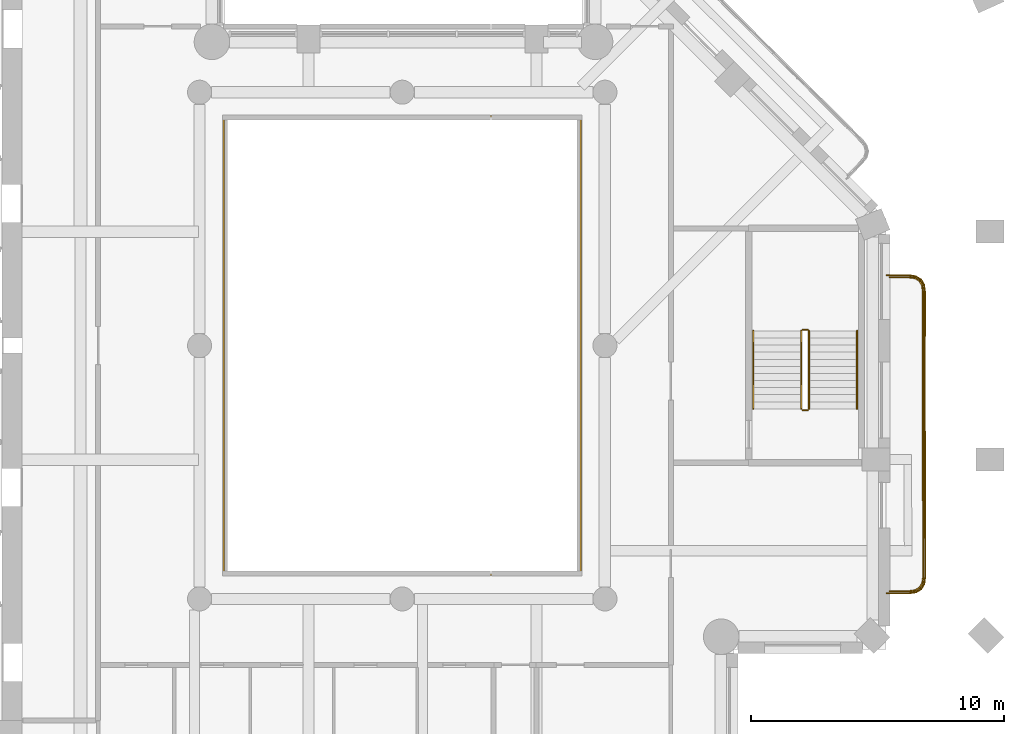
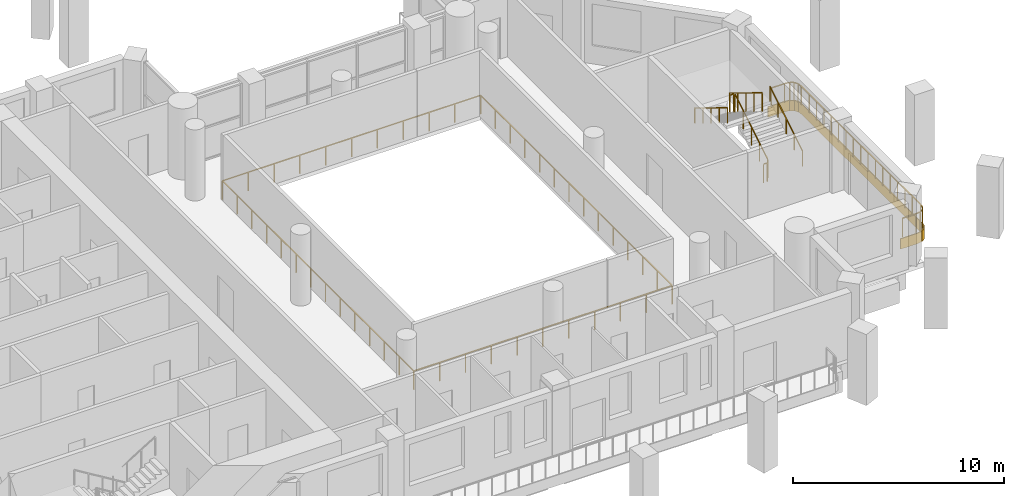
# One storey, part 14 of 16: 8 railings, 1 covering.
"""IFC4 building model written with IfcOpenShell, lengths in metres."""

from ifc_helpers import new_model, si_unit, direction, frame, origin, origin_2d, place, context, subcontext, project, spatial, polyline, rectangle, outline, extrude, material, layer, layer_set, type_object, element, save


model = new_model("IFC4")

# Units and contexts
model_context = context("Model", 3, precision=1e-05, world=origin(), true_north=direction((0.0, 1.0)))
body_context = subcontext(model_context, "Body", "Model", "MODEL_VIEW")
ifc_project = project(units=[si_unit("LENGTHUNIT", "METRE"), si_unit("AREAUNIT", "SQUARE_METRE"), si_unit("VOLUMEUNIT", "CUBIC_METRE"), si_unit("PLANEANGLEUNIT", "RADIAN"), si_unit("MASSUNIT", "GRAM", prefix="KILO")], contexts=[model_context])

# Site, building, storey
site_placement = place(None, origin())
site = spatial("IfcSite", under=ifc_project, at=site_placement, CompositionType="ELEMENT")
building_placement = place(site_placement, origin())
building = spatial("IfcBuilding", under=site, at=building_placement, Name="Cypress Arch Tower", CompositionType="ELEMENT")
storey_placement = place(building_placement, frame((0.0, 0.0, 197.39990234375)))
storey = spatial("IfcBuildingStorey", under=building, at=storey_placement, Name="L43", CompositionType="ELEMENT", Elevation=197.39990234375)

# Railing
ifc_material_1 = material(Name="Stainless steel posts and handrail, laminated glass infill", Category="steel")
railing_type_1 = type_object("IfcRailingType", Name="Atrium guard GR1100A", PredefinedType="GUARDRAIL", material=ifc_material_1)
railing_1_placement = place(storey_placement, frame((8.050048828125, -9.050048828125, 0.0)))
element("IfcRailing", 1, at=railing_1_placement, inside=storey, type_object=railing_type_1, Name="Atrium guard L43", PredefinedType="GUARDRAIL", context=body_context, shape_type="SweptSolid", body=[
    extrude(rectangle(XDim=0.050048828125, YDim=0.050048828125, at=origin_2d()), frame((0.0, 0.0, 1.0751953125), z_axis=(-1.0, 0.0, 0.0), x_axis=(0.0, -1.0, 0.0)), (0.0, 0.0, 1.0), 14.10009765625),
    extrude(rectangle(XDim=0.050048828125, YDim=0.050048828125, at=origin_2d()), frame((-14.10009765625, 0.0, 1.0751953125), z_axis=(0.0, 1.0, 0.0), x_axis=(-1.0, 0.0, 0.0)), (0.0, 0.0, 1.0), 18.10009765625),
    extrude(rectangle(XDim=0.050048828125, YDim=0.050048828125, at=origin_2d()), frame((-14.10009765625, 18.10009765625, 1.0751953125), z_axis=(1.0, 0.0, 0.0), x_axis=(0.0, 1.0, 0.0)), (0.0, 0.0, 1.0), 14.10009765625),
    extrude(rectangle(XDim=0.050048828125, YDim=0.050048828125, at=origin_2d()), frame((0.0, 18.10009765625, 1.0751953125), z_axis=(0.0, -1.0, 0.0), x_axis=(1.0, 0.0, 0.0)), (0.0, 0.0, 1.0), 18.10009765625),
    extrude(rectangle(XDim=0.050048828125, YDim=0.050048828125, at=origin_2d()), origin(), (0.0, 0.0, 1.0), 1.050048828125),
    extrude(rectangle(XDim=0.050048828125, YDim=0.050048828125, at=origin_2d()), frame((-1.409912109375, 0.0, 0.0)), (0.0, 0.0, 1.0), 1.050048828125),
    extrude(rectangle(XDim=0.050048828125, YDim=0.050048828125, at=origin_2d()), frame((-2.820068359375, 0.0, 0.0)), (0.0, 0.0, 1.0), 1.050048828125),
    extrude(rectangle(XDim=0.050048828125, YDim=0.050048828125, at=origin_2d()), frame((-4.22998046875, 0.0, 0.0)), (0.0, 0.0, 1.0), 1.050048828125),
    extrude(rectangle(XDim=0.050048828125, YDim=0.050048828125, at=origin_2d()), frame((-5.64013671875, 0.0, 0.0)), (0.0, 0.0, 1.0), 1.050048828125),
    extrude(rectangle(XDim=0.050048828125, YDim=0.050048828125, at=origin_2d()), frame((-7.050048828125, 0.0, 0.0)), (0.0, 0.0, 1.0), 1.050048828125),
    extrude(rectangle(XDim=0.050048828125, YDim=0.050048828125, at=origin_2d()), frame((-8.4599609375, 0.0, 0.0)), (0.0, 0.0, 1.0), 1.050048828125),
    extrude(rectangle(XDim=0.050048828125, YDim=0.050048828125, at=origin_2d()), frame((-9.8701171875, 0.0, 0.0)), (0.0, 0.0, 1.0), 1.050048828125),
    extrude(rectangle(XDim=0.050048828125, YDim=0.050048828125, at=origin_2d()), frame((-11.280029296875, 0.0, 0.0)), (0.0, 0.0, 1.0), 1.050048828125),
    extrude(rectangle(XDim=0.050048828125, YDim=0.050048828125, at=origin_2d()), frame((-12.690185546875, 0.0, 0.0)), (0.0, 0.0, 1.0), 1.050048828125),
    extrude(rectangle(XDim=0.050048828125, YDim=0.050048828125, at=origin_2d()), frame((-14.10009765625, 0.0, 0.0)), (0.0, 0.0, 1.0), 1.050048828125),
    extrude(rectangle(XDim=0.050048828125, YDim=0.050048828125, at=origin_2d()), frame((-14.10009765625, 1.392333984375, 0.0)), (0.0, 0.0, 1.0), 1.050048828125),
    extrude(rectangle(XDim=0.050048828125, YDim=0.050048828125, at=origin_2d()), frame((-14.10009765625, 2.78466796875, 0.0)), (0.0, 0.0, 1.0), 1.050048828125),
    extrude(rectangle(XDim=0.050048828125, YDim=0.050048828125, at=origin_2d()), frame((-14.10009765625, 4.177001953125, 0.0)), (0.0, 0.0, 1.0), 1.050048828125),
    extrude(rectangle(XDim=0.050048828125, YDim=0.050048828125, at=origin_2d()), frame((-14.10009765625, 5.5693359375, 0.0)), (0.0, 0.0, 1.0), 1.050048828125),
    extrude(rectangle(XDim=0.050048828125, YDim=0.050048828125, at=origin_2d()), frame((-14.10009765625, 6.961669921875, 0.0)), (0.0, 0.0, 1.0), 1.050048828125),
    extrude(rectangle(XDim=0.050048828125, YDim=0.050048828125, at=origin_2d()), frame((-14.10009765625, 8.35400390625, 0.0)), (0.0, 0.0, 1.0), 1.050048828125),
    extrude(rectangle(XDim=0.050048828125, YDim=0.050048828125, at=origin_2d()), frame((-14.10009765625, 9.74609375, 0.0)), (0.0, 0.0, 1.0), 1.050048828125),
    extrude(rectangle(XDim=0.050048828125, YDim=0.050048828125, at=origin_2d()), frame((-14.10009765625, 11.138427734375, 0.0)), (0.0, 0.0, 1.0), 1.050048828125),
    extrude(rectangle(XDim=0.050048828125, YDim=0.050048828125, at=origin_2d()), frame((-14.10009765625, 12.53076171875, 0.0)), (0.0, 0.0, 1.0), 1.050048828125),
    extrude(rectangle(XDim=0.050048828125, YDim=0.050048828125, at=origin_2d()), frame((-14.10009765625, 13.923095703125, 0.0)), (0.0, 0.0, 1.0), 1.050048828125),
    extrude(rectangle(XDim=0.050048828125, YDim=0.050048828125, at=origin_2d()), frame((-14.10009765625, 15.3154296875, 0.0)), (0.0, 0.0, 1.0), 1.050048828125),
    extrude(rectangle(XDim=0.050048828125, YDim=0.050048828125, at=origin_2d()), frame((-14.10009765625, 16.707763671875, 0.0)), (0.0, 0.0, 1.0), 1.050048828125),
    extrude(rectangle(XDim=0.050048828125, YDim=0.050048828125, at=origin_2d()), frame((-14.10009765625, 18.10009765625, 0.0)), (0.0, 0.0, 1.0), 1.050048828125),
    extrude(rectangle(XDim=0.050048828125, YDim=0.050048828125, at=origin_2d()), frame((-12.690185546875, 18.10009765625, 0.0)), (0.0, 0.0, 1.0), 1.050048828125),
    extrude(rectangle(XDim=0.050048828125, YDim=0.050048828125, at=origin_2d()), frame((-11.280029296875, 18.10009765625, 0.0)), (0.0, 0.0, 1.0), 1.050048828125),
    extrude(rectangle(XDim=0.050048828125, YDim=0.050048828125, at=origin_2d()), frame((-9.8701171875, 18.10009765625, 0.0)), (0.0, 0.0, 1.0), 1.050048828125),
    extrude(rectangle(XDim=0.050048828125, YDim=0.050048828125, at=origin_2d()), frame((-8.4599609375, 18.10009765625, 0.0)), (0.0, 0.0, 1.0), 1.050048828125),
    extrude(rectangle(XDim=0.050048828125, YDim=0.050048828125, at=origin_2d()), frame((-7.050048828125, 18.10009765625, 0.0)), (0.0, 0.0, 1.0), 1.050048828125),
    extrude(rectangle(XDim=0.050048828125, YDim=0.050048828125, at=origin_2d()), frame((-5.64013671875, 18.10009765625, 0.0)), (0.0, 0.0, 1.0), 1.050048828125),
    extrude(rectangle(XDim=0.050048828125, YDim=0.050048828125, at=origin_2d()), frame((-4.22998046875, 18.10009765625, 0.0)), (0.0, 0.0, 1.0), 1.050048828125),
    extrude(rectangle(XDim=0.050048828125, YDim=0.050048828125, at=origin_2d()), frame((-2.820068359375, 18.10009765625, 0.0)), (0.0, 0.0, 1.0), 1.050048828125),
    extrude(rectangle(XDim=0.050048828125, YDim=0.050048828125, at=origin_2d()), frame((-1.409912109375, 18.10009765625, 0.0)), (0.0, 0.0, 1.0), 1.050048828125),
    extrude(rectangle(XDim=0.050048828125, YDim=0.050048828125, at=origin_2d()), frame((0.0, 18.10009765625, 0.0)), (0.0, 0.0, 1.0), 1.050048828125),
    extrude(rectangle(XDim=0.050048828125, YDim=0.050048828125, at=origin_2d()), frame((0.0, 16.707763671875, 0.0)), (0.0, 0.0, 1.0), 1.050048828125),
    extrude(rectangle(XDim=0.050048828125, YDim=0.050048828125, at=origin_2d()), frame((0.0, 15.3154296875, 0.0)), (0.0, 0.0, 1.0), 1.050048828125),
    extrude(rectangle(XDim=0.050048828125, YDim=0.050048828125, at=origin_2d()), frame((0.0, 13.923095703125, 0.0)), (0.0, 0.0, 1.0), 1.050048828125),
    extrude(rectangle(XDim=0.050048828125, YDim=0.050048828125, at=origin_2d()), frame((0.0, 12.53076171875, 0.0)), (0.0, 0.0, 1.0), 1.050048828125),
    extrude(rectangle(XDim=0.050048828125, YDim=0.050048828125, at=origin_2d()), frame((0.0, 11.138427734375, 0.0)), (0.0, 0.0, 1.0), 1.050048828125),
    extrude(rectangle(XDim=0.050048828125, YDim=0.050048828125, at=origin_2d()), frame((0.0, 9.74609375, 0.0)), (0.0, 0.0, 1.0), 1.050048828125),
    extrude(rectangle(XDim=0.050048828125, YDim=0.050048828125, at=origin_2d()), frame((0.0, 8.35400390625, 0.0)), (0.0, 0.0, 1.0), 1.050048828125),
    extrude(rectangle(XDim=0.050048828125, YDim=0.050048828125, at=origin_2d()), frame((0.0, 6.961669921875, 0.0)), (0.0, 0.0, 1.0), 1.050048828125),
    extrude(rectangle(XDim=0.050048828125, YDim=0.050048828125, at=origin_2d()), frame((0.0, 5.5693359375, 0.0)), (0.0, 0.0, 1.0), 1.050048828125),
    extrude(rectangle(XDim=0.050048828125, YDim=0.050048828125, at=origin_2d()), frame((0.0, 4.177001953125, 0.0)), (0.0, 0.0, 1.0), 1.050048828125),
    extrude(rectangle(XDim=0.050048828125, YDim=0.050048828125, at=origin_2d()), frame((0.0, 2.78466796875, 0.0)), (0.0, 0.0, 1.0), 1.050048828125),
    extrude(rectangle(XDim=0.050048828125, YDim=0.050048828125, at=origin_2d()), frame((0.0, 1.392333984375, 0.0)), (0.0, 0.0, 1.0), 1.050048828125),
])

# Covering
ifc_material_2 = material(Name="White powder-coated aluminium fascia", Category="aluminium")
ifc_layer = layer(ifc_material_2, 0.050048828125)
ifc_layer_set = layer_set([ifc_layer], Name="Balcony fascia BF50")
covering_type = type_object("IfcCoveringType", Name="Balcony fascia BF50", PredefinedType="CLADDING", material=ifc_layer_set)
covering_placement = place(storey_placement, frame((0.0, 0.0, -0.599853515625)))
element("IfcCovering", 2, at=covering_placement, inside=storey, type_object=covering_type, Name="Balcony fascia L43-B04", PredefinedType="CLADDING", context=body_context, shape_type="SweptSolid", body=[
    extrude(outline(polyline([(20.986083984375, 2.800048828125), (21.27294921875, 2.759033203125), (21.4873046875, 2.630126953125), (21.615478515625, 2.415283203125), (21.65576171875, 2.12841796875), (21.65380859375, 1.361083984375), (21.651123046875, -0.02783203125), (21.64990234375, -1.416748046875), (21.65087890625, -2.805419921875), (21.6533203125, -4.1943359375), (21.656982421875, -5.583251953125), (21.660888671875, -6.97216796875), (21.664306640625, -8.361083984375), (21.665283203125, -9.12841796875), (21.624755859375, -9.41552734375), (21.49609375, -9.630126953125), (21.281494140625, -9.759033203125), (20.99462890625, -9.800048828125), (20.10107421875, -9.800048828125), (20.10107421875, -9.75), (20.990966796875, -9.75), (21.264404296875, -9.7109375), (21.459716796875, -9.59375), (21.57666015625, -9.3984375), (21.615234375, -9.125), (21.6142578125, -8.361083984375), (21.61083984375, -6.97216796875), (21.60693359375, -5.583251953125), (21.603271484375, -4.1943359375), (21.600830078125, -2.8056640625), (21.60009765625, -1.416748046875), (21.60107421875, -0.02783203125), (21.603759765625, 1.361083984375), (21.605712890625, 2.125), (21.5673828125, 2.3984375), (21.45068359375, 2.59375), (21.255859375, 2.7109375), (20.982421875, 2.75), (20.10107421875, 2.75), (20.10107421875, 2.800048828125), (20.986083984375, 2.800048828125)])), origin(), (0.0, 0.0, 1.0), 0.599853515625),
])

# Railings
ifc_material_3 = material(Name="Powder-coated steel posts and rods, 100 mm clear between rods", Category="steel")
railing_type_2 = type_object("IfcRailingType", Name="Balcony guard GR1100", PredefinedType="GUARDRAIL", material=ifc_material_3)
railing_2_placement = place(storey_placement, frame((20.25, 2.699951171875, 0.0)))
element("IfcRailing", 3, at=railing_2_placement, inside=storey, type_object=railing_type_2, Name="Balcony guard L43-B04", PredefinedType="GUARDRAIL", context=body_context, shape_type="SweptSolid", body=[
    extrude(rectangle(XDim=0.050048828125, YDim=0.050048828125, at=origin_2d()), frame((0.0, 0.0, 1.0751953125), z_axis=(1.0, 0.0, 0.0), x_axis=(0.0, 1.0, 0.0)), (0.0, 0.0, 1.0), 0.72900390625),
    extrude(rectangle(XDim=0.050048828125, YDim=0.050048828125, at=origin_2d()), frame((0.72900390625, 0.0, 1.0751953125), z_axis=(0.989949493661, -0.141421356237, 0.0), x_axis=(0.141421356237, 0.989949493661, 0.0)), (0.0, 0.0, 1.0), 0.262451171875),
    extrude(rectangle(XDim=0.050048828125, YDim=0.050048828125, at=origin_2d()), frame((0.98876953125, -0.037109375, 1.0751953125), z_axis=(0.857177187434, -0.515021620267, 0.0), x_axis=(0.515021620267, 0.857177187434, 0.0)), (0.0, 0.0, 1.0), 0.204833984375),
    extrude(rectangle(XDim=0.050048828125, YDim=0.050048828125, at=origin_2d()), frame((1.164306640625, -0.142578125, 1.0751953125), z_axis=(0.512741119026, -0.858543269067, 0.0), x_axis=(0.858543269067, 0.512741119026, 0.0)), (0.0, 0.0, 1.0), 0.204833984375),
    extrude(rectangle(XDim=0.050048828125, YDim=0.050048828125, at=origin_2d()), frame((1.269287109375, -0.318359375, 1.0751953125), z_axis=(0.139468521846, -0.990226505106, 0.0), x_axis=(0.990226505106, 0.139468521846, 0.0)), (0.0, 0.0, 1.0), 0.2626953125),
    extrude(rectangle(XDim=0.050048828125, YDim=0.050048828125, at=origin_2d()), frame((1.305908203125, -0.578369140625, 1.0751953125), z_axis=(-0.00289016134, -0.999995823475, 0.0), x_axis=(0.999995823475, -0.00289016134, 0.0)), (0.0, 0.0, 1.0), 0.76025390625),
    extrude(rectangle(XDim=0.050048828125, YDim=0.050048828125, at=origin_2d()), frame((1.3037109375, -1.338623046875, 1.0751953125), z_axis=(-0.001933212556, -0.999998131343, 0.0), x_axis=(0.999998131343, -0.001933212556, 0.0)), (0.0, 0.0, 1.0), 1.38916015625),
    extrude(rectangle(XDim=0.050048828125, YDim=0.050048828125, at=origin_2d()), frame((1.301025390625, -2.727783203125, 1.0751953125), z_axis=(-0.000703111094, -0.999999752817, 0.0), x_axis=(0.999999752817, -0.000703111094, 0.0)), (0.0, 0.0, 1.0), 1.388916015625),
    extrude(rectangle(XDim=0.050048828125, YDim=0.050048828125, at=origin_2d()), frame((1.300048828125, -4.11669921875, 1.0751953125), z_axis=(0.000527333377, -0.99999986096, 0.0), x_axis=(0.99999986096, 0.000527333377, 0.0)), (0.0, 0.0, 1.0), 1.388916015625),
    extrude(rectangle(XDim=0.050048828125, YDim=0.050048828125, at=origin_2d()), frame((1.30078125, -5.505615234375, 1.0751953125), z_axis=(0.001933552371, -0.999998130686, 0.0), x_axis=(0.999998130686, 0.001933552371, 0.0)), (0.0, 0.0, 1.0), 1.388916015625),
    extrude(rectangle(XDim=0.050048828125, YDim=0.050048828125, at=origin_2d()), frame((1.303466796875, -6.89453125, 1.0751953125), z_axis=(0.002460881984, -0.999996972025, 0.0), x_axis=(0.999996972025, 0.002460881984, 0.0)), (0.0, 0.0, 1.0), 1.388916015625),
    extrude(rectangle(XDim=0.050048828125, YDim=0.050048828125, at=origin_2d()), frame((1.306884765625, -8.283447265625, 1.0751953125), z_axis=(0.002812433946, -0.9999960451, 0.0), x_axis=(0.9999960451, 0.002812433946, 0.0)), (0.0, 0.0, 1.0), 1.388916015625),
    extrude(rectangle(XDim=0.050048828125, YDim=0.050048828125, at=origin_2d()), frame((1.310791015625, -9.67236328125, 1.0751953125), z_axis=(0.002461314626, -0.999996970961, 0.0), x_axis=(0.999996970961, 0.002461314626, 0.0)), (0.0, 0.0, 1.0), 1.388671875),
    extrude(rectangle(XDim=0.050048828125, YDim=0.050048828125, at=origin_2d()), frame((1.314208984375, -11.06103515625, 1.0751953125), z_axis=(0.001284108091, -0.999999175533, 0.0), x_axis=(0.999999175533, 0.001284108091, 0.0)), (0.0, 0.0, 1.0), 0.760498046875),
    extrude(rectangle(XDim=0.050048828125, YDim=0.050048828125, at=origin_2d()), frame((1.315185546875, -11.821533203125, 1.0751953125), z_axis=(-0.139597048071, -0.990208394314, 0.0), x_axis=(0.990208394314, -0.139597048071, 0.0)), (0.0, 0.0, 1.0), 0.262451171875),
    extrude(rectangle(XDim=0.050048828125, YDim=0.050048828125, at=origin_2d()), frame((1.278564453125, -12.081298828125, 1.0751953125), z_axis=(-0.513970770589, -0.857807698135, 0.0), x_axis=(0.857807698135, -0.513970770589, 0.0)), (0.0, 0.0, 1.0), 0.205322265625),
    extrude(rectangle(XDim=0.050048828125, YDim=0.050048828125, at=origin_2d()), frame((1.173095703125, -12.25732421875, 1.0751953125), z_axis=(-0.857492925713, -0.514495755428, 0.0), x_axis=(0.514495755428, -0.857492925713, 0.0)), (0.0, 0.0, 1.0), 0.205078125),
    extrude(rectangle(XDim=0.050048828125, YDim=0.050048828125, at=origin_2d()), frame((0.997314453125, -12.36279296875, 1.0751953125), z_axis=(-0.989949493661, -0.141421356237, 0.0), x_axis=(0.141421356237, -0.989949493661, 0.0)), (0.0, 0.0, 1.0), 0.262451171875),
    extrude(rectangle(XDim=0.050048828125, YDim=0.050048828125, at=origin_2d()), frame((0.737548828125, -12.39990234375, 1.0751953125), z_axis=(-1.0, 0.0, 0.0), x_axis=(0.0, -1.0, 0.0)), (0.0, 0.0, 1.0), 0.737548828125),
    extrude(rectangle(XDim=0.0400390625, YDim=0.0400390625, at=origin_2d()), origin(), (0.0, 0.0, 1.0), 1.050048828125),
    extrude(rectangle(XDim=0.0400390625, YDim=0.0400390625, at=origin_2d()), frame((0.72900390625, 0.0, 0.0)), (0.0, 0.0, 1.0), 1.050048828125),
    extrude(rectangle(XDim=0.0400390625, YDim=0.0400390625, at=origin_2d()), frame((0.98876953125, -0.037109375, 0.0)), (0.0, 0.0, 1.0), 1.050048828125),
    extrude(rectangle(XDim=0.0400390625, YDim=0.0400390625, at=origin_2d()), frame((1.164306640625, -0.142578125, 0.0)), (0.0, 0.0, 1.0), 1.050048828125),
    extrude(rectangle(XDim=0.0400390625, YDim=0.0400390625, at=origin_2d()), frame((1.269287109375, -0.318359375, 0.0)), (0.0, 0.0, 1.0), 1.050048828125),
    extrude(rectangle(XDim=0.0400390625, YDim=0.0400390625, at=origin_2d()), frame((1.305908203125, -0.578369140625, 0.0)), (0.0, 0.0, 1.0), 1.050048828125),
    extrude(rectangle(XDim=0.0400390625, YDim=0.0400390625, at=origin_2d()), frame((1.3037109375, -1.338623046875, 0.0)), (0.0, 0.0, 1.0), 1.050048828125),
    extrude(rectangle(XDim=0.0400390625, YDim=0.0400390625, at=origin_2d()), frame((1.30224609375, -2.033203125, 0.0)), (0.0, 0.0, 1.0), 1.050048828125),
    extrude(rectangle(XDim=0.0400390625, YDim=0.0400390625, at=origin_2d()), frame((1.301025390625, -2.727783203125, 0.0)), (0.0, 0.0, 1.0), 1.050048828125),
    extrude(rectangle(XDim=0.0400390625, YDim=0.0400390625, at=origin_2d()), frame((1.300537109375, -3.42236328125, 0.0)), (0.0, 0.0, 1.0), 1.050048828125),
    extrude(rectangle(XDim=0.0400390625, YDim=0.0400390625, at=origin_2d()), frame((1.300048828125, -4.11669921875, 0.0)), (0.0, 0.0, 1.0), 1.050048828125),
    extrude(rectangle(XDim=0.0400390625, YDim=0.0400390625, at=origin_2d()), frame((1.30029296875, -4.81103515625, 0.0)), (0.0, 0.0, 1.0), 1.050048828125),
    extrude(rectangle(XDim=0.0400390625, YDim=0.0400390625, at=origin_2d()), frame((1.30078125, -5.505615234375, 0.0)), (0.0, 0.0, 1.0), 1.050048828125),
    extrude(rectangle(XDim=0.0400390625, YDim=0.0400390625, at=origin_2d()), frame((1.30224609375, -6.2001953125, 0.0)), (0.0, 0.0, 1.0), 1.050048828125),
    extrude(rectangle(XDim=0.0400390625, YDim=0.0400390625, at=origin_2d()), frame((1.303466796875, -6.89453125, 0.0)), (0.0, 0.0, 1.0), 1.050048828125),
    extrude(rectangle(XDim=0.0400390625, YDim=0.0400390625, at=origin_2d()), frame((1.30517578125, -7.5888671875, 0.0)), (0.0, 0.0, 1.0), 1.050048828125),
    extrude(rectangle(XDim=0.0400390625, YDim=0.0400390625, at=origin_2d()), frame((1.306884765625, -8.283447265625, 0.0)), (0.0, 0.0, 1.0), 1.050048828125),
    extrude(rectangle(XDim=0.0400390625, YDim=0.0400390625, at=origin_2d()), frame((1.308837890625, -8.97802734375, 0.0)), (0.0, 0.0, 1.0), 1.050048828125),
    extrude(rectangle(XDim=0.0400390625, YDim=0.0400390625, at=origin_2d()), frame((1.310791015625, -9.67236328125, 0.0)), (0.0, 0.0, 1.0), 1.050048828125),
    extrude(rectangle(XDim=0.0400390625, YDim=0.0400390625, at=origin_2d()), frame((1.3125, -10.36669921875, 0.0)), (0.0, 0.0, 1.0), 1.050048828125),
    extrude(rectangle(XDim=0.0400390625, YDim=0.0400390625, at=origin_2d()), frame((1.314208984375, -11.06103515625, 0.0)), (0.0, 0.0, 1.0), 1.050048828125),
    extrude(rectangle(XDim=0.0400390625, YDim=0.0400390625, at=origin_2d()), frame((1.315185546875, -11.821533203125, 0.0)), (0.0, 0.0, 1.0), 1.050048828125),
    extrude(rectangle(XDim=0.0400390625, YDim=0.0400390625, at=origin_2d()), frame((1.278564453125, -12.081298828125, 0.0)), (0.0, 0.0, 1.0), 1.050048828125),
    extrude(rectangle(XDim=0.0400390625, YDim=0.0400390625, at=origin_2d()), frame((1.173095703125, -12.25732421875, 0.0)), (0.0, 0.0, 1.0), 1.050048828125),
    extrude(rectangle(XDim=0.0400390625, YDim=0.0400390625, at=origin_2d()), frame((0.997314453125, -12.36279296875, 0.0)), (0.0, 0.0, 1.0), 1.050048828125),
    extrude(rectangle(XDim=0.0400390625, YDim=0.0400390625, at=origin_2d()), frame((0.737548828125, -12.39990234375, 0.0)), (0.0, 0.0, 1.0), 1.050048828125),
    extrude(rectangle(XDim=0.0400390625, YDim=0.0400390625, at=origin_2d()), frame((0.0, -12.39990234375, 0.0)), (0.0, 0.0, 1.0), 1.050048828125),
])
ifc_material_4 = material(Name="Black powder-coated steel square bar 48 mm", Category="steel")
railing_type_3 = type_object("IfcRailingType", Name="Stair handrail HR1", PredefinedType="HANDRAIL", material=ifc_material_4)
railing_3_placement = place(storey_placement, frame((18.949951171875, -2.5, 0.1708984375)))
element("IfcRailing", 4, at=railing_3_placement, inside=storey, type_object=railing_type_3, Name="L43 C stair handrail 1", PredefinedType="HANDRAIL", context=body_context, shape_type="SweptSolid", body=[
    extrude(rectangle(XDim=0.048095703125, YDim=0.048095703125, at=origin_2d()), frame((0.0, 0.0, 0.8759765625), z_axis=(0.0, 0.853666305674, 0.52082035152), x_axis=(-1.0, 0.0, 0.0)), (0.0, 0.0, 1.0), 3.608154296875),
    extrude(rectangle(XDim=0.0419921875, YDim=0.0419921875, at=origin_2d()), origin(), (0.0, 0.0, 1.0), 0.851806640625),
    extrude(rectangle(XDim=0.0419921875, YDim=0.0419921875, at=origin_2d()), frame((0.0, 0.77001953125, 0.4697265625)), (0.0, 0.0, 1.0), 0.851806640625),
    extrude(rectangle(XDim=0.0419921875, YDim=0.0419921875, at=origin_2d()), frame((0.0, 1.5400390625, 0.939453125)), (0.0, 0.0, 1.0), 0.851806640625),
    extrude(rectangle(XDim=0.0419921875, YDim=0.0419921875, at=origin_2d()), frame((0.0, 2.31005859375, 1.409423828125)), (0.0, 0.0, 1.0), 0.851806640625),
    extrude(rectangle(XDim=0.0419921875, YDim=0.0419921875, at=origin_2d()), frame((0.0, 3.080078125, 1.879150390625)), (0.0, 0.0, 1.0), 0.851806640625),
])
railing_4_placement = place(storey_placement, frame((14.85009765625, 0.580078125, 2.220947265625)))
element("IfcRailing", 5, at=railing_4_placement, inside=storey, type_object=railing_type_3, Name="L43 C stair handrail 2", PredefinedType="HANDRAIL", context=body_context, shape_type="SweptSolid", body=[
    extrude(rectangle(XDim=0.048095703125, YDim=0.048095703125, at=origin_2d()), frame((0.0, 0.0, 0.8759765625), z_axis=(0.0, -0.853666305674, 0.52082035152), x_axis=(1.0, 0.0, 0.0)), (0.0, 0.0, 1.0), 3.608154296875),
    extrude(rectangle(XDim=0.0419921875, YDim=0.0419921875, at=origin_2d()), origin(), (0.0, 0.0, 1.0), 0.851806640625),
    extrude(rectangle(XDim=0.0419921875, YDim=0.0419921875, at=origin_2d()), frame((0.0, -0.77001953125, 0.4697265625)), (0.0, 0.0, 1.0), 0.851806640625),
    extrude(rectangle(XDim=0.0419921875, YDim=0.0419921875, at=origin_2d()), frame((0.0, -1.5400390625, 0.939453125)), (0.0, 0.0, 1.0), 0.851806640625),
    extrude(rectangle(XDim=0.0419921875, YDim=0.0419921875, at=origin_2d()), frame((0.0, -2.31005859375, 1.409423828125)), (0.0, 0.0, 1.0), 0.851806640625),
    extrude(rectangle(XDim=0.0419921875, YDim=0.0419921875, at=origin_2d()), frame((0.0, -3.080078125, 1.879150390625)), (0.0, 0.0, 1.0), 0.851806640625),
])
ifc_material_5 = material(Name="Black powder-coated steel balusters", Category="steel")
railing_type_4 = type_object("IfcRailingType", Name="Stair well guard G1", PredefinedType="GUARDRAIL", material=ifc_material_5)
railing_5_placement = place(storey_placement, frame((17.050048828125, -2.5, 0.1708984375)))
element("IfcRailing", 6, at=railing_5_placement, inside=storey, type_object=railing_type_4, Name="L43 C stair guard 1", PredefinedType="GUARDRAIL", context=body_context, shape_type="SweptSolid", body=[
    extrude(rectangle(XDim=0.048095703125, YDim=0.048095703125, at=origin_2d()), frame((0.0, 0.0, 1.076171875), z_axis=(0.0, 0.853666305674, 0.52082035152), x_axis=(-1.0, 0.0, 0.0)), (0.0, 0.0, 1.0), 3.608154296875),
    extrude(rectangle(XDim=0.0419921875, YDim=0.0419921875, at=origin_2d()), origin(), (0.0, 0.0, 1.0), 1.052001953125),
    extrude(rectangle(XDim=0.0419921875, YDim=0.0419921875, at=origin_2d()), frame((0.0, 0.77001953125, 0.4697265625)), (0.0, 0.0, 1.0), 1.052001953125),
    extrude(rectangle(XDim=0.0419921875, YDim=0.0419921875, at=origin_2d()), frame((0.0, 1.5400390625, 0.939453125)), (0.0, 0.0, 1.0), 1.052001953125),
    extrude(rectangle(XDim=0.0419921875, YDim=0.0419921875, at=origin_2d()), frame((0.0, 2.31005859375, 1.409423828125)), (0.0, 0.0, 1.0), 1.052001953125),
    extrude(rectangle(XDim=0.0419921875, YDim=0.0419921875, at=origin_2d()), frame((0.0, 3.080078125, 1.879150390625)), (0.0, 0.0, 1.0), 1.052001953125),
])
railing_6_placement = place(storey_placement, frame((17.0, 0.6298828125, 2.050048828125)))
element("IfcRailing", 7, at=railing_6_placement, inside=storey, type_object=railing_type_4, Name="L43 C stair guard 2", PredefinedType="GUARDRAIL", context=body_context, shape_type="SweptSolid", body=[
    extrude(rectangle(XDim=0.048095703125, YDim=0.048095703125, at=origin_2d()), frame((0.0, 0.0, 1.076171875), z_axis=(-1.0, 0.0, 0.0), x_axis=(0.0, -1.0, 0.0)), (0.0, 0.0, 1.0), 0.199951171875),
    extrude(rectangle(XDim=0.0419921875, YDim=0.0419921875, at=origin_2d()), origin(), (0.0, 0.0, 1.0), 1.052001953125),
    extrude(rectangle(XDim=0.0419921875, YDim=0.0419921875, at=origin_2d()), frame((-0.199951171875, 0.0, 0.0)), (0.0, 0.0, 1.0), 1.052001953125),
])
railing_7_placement = place(storey_placement, frame((16.75, 0.580078125, 2.220947265625)))
element("IfcRailing", 8, at=railing_7_placement, inside=storey, type_object=railing_type_4, Name="L43 C stair guard 3", PredefinedType="GUARDRAIL", context=body_context, shape_type="SweptSolid", body=[
    extrude(rectangle(XDim=0.048095703125, YDim=0.048095703125, at=origin_2d()), frame((0.0, 0.0, 1.076171875), z_axis=(0.0, -0.853666305674, 0.52082035152), x_axis=(1.0, 0.0, 0.0)), (0.0, 0.0, 1.0), 3.608154296875),
    extrude(rectangle(XDim=0.0419921875, YDim=0.0419921875, at=origin_2d()), origin(), (0.0, 0.0, 1.0), 1.052001953125),
    extrude(rectangle(XDim=0.0419921875, YDim=0.0419921875, at=origin_2d()), frame((0.0, -0.77001953125, 0.4697265625)), (0.0, 0.0, 1.0), 1.052001953125),
    extrude(rectangle(XDim=0.0419921875, YDim=0.0419921875, at=origin_2d()), frame((0.0, -1.5400390625, 0.939453125)), (0.0, 0.0, 1.0), 1.052001953125),
    extrude(rectangle(XDim=0.0419921875, YDim=0.0419921875, at=origin_2d()), frame((0.0, -2.31005859375, 1.409423828125)), (0.0, 0.0, 1.0), 1.052001953125),
    extrude(rectangle(XDim=0.0419921875, YDim=0.0419921875, at=origin_2d()), frame((0.0, -3.080078125, 1.879150390625)), (0.0, 0.0, 1.0), 1.052001953125),
])
railing_8_placement = place(storey_placement, frame((17.0, -2.550048828125, 0.0)))
element("IfcRailing", 9, at=railing_8_placement, inside=storey, type_object=railing_type_4, Name="L43 C stair guard 4", PredefinedType="GUARDRAIL", context=body_context, shape_type="SweptSolid", body=[
    extrude(rectangle(XDim=0.048095703125, YDim=0.048095703125, at=origin_2d()), frame((0.0, 0.0, 1.076171875), z_axis=(-1.0, 0.0, 0.0), x_axis=(0.0, -1.0, 0.0)), (0.0, 0.0, 1.0), 0.199951171875),
    extrude(rectangle(XDim=0.0419921875, YDim=0.0419921875, at=origin_2d()), origin(), (0.0, 0.0, 1.0), 1.052001953125),
    extrude(rectangle(XDim=0.0419921875, YDim=0.0419921875, at=origin_2d()), frame((-0.199951171875, 0.0, 0.0)), (0.0, 0.0, 1.0), 1.052001953125),
])

save(model, "model.ifc")
